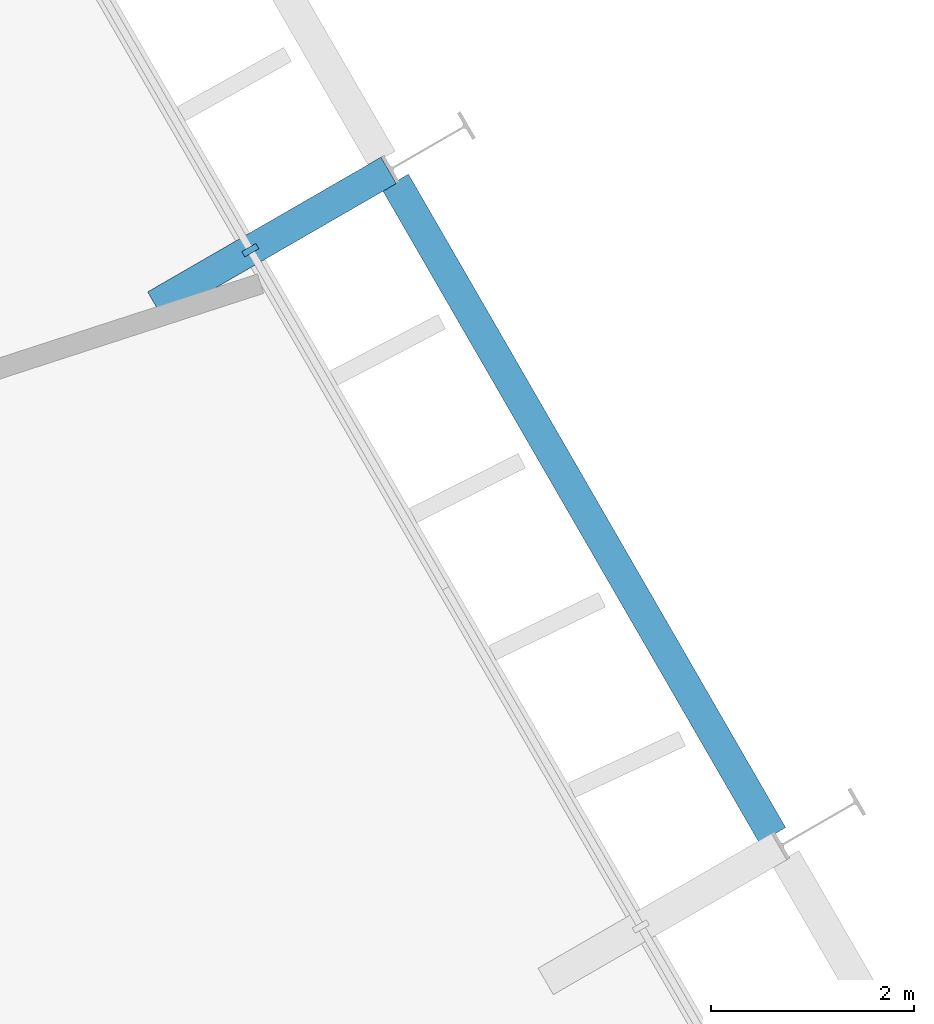
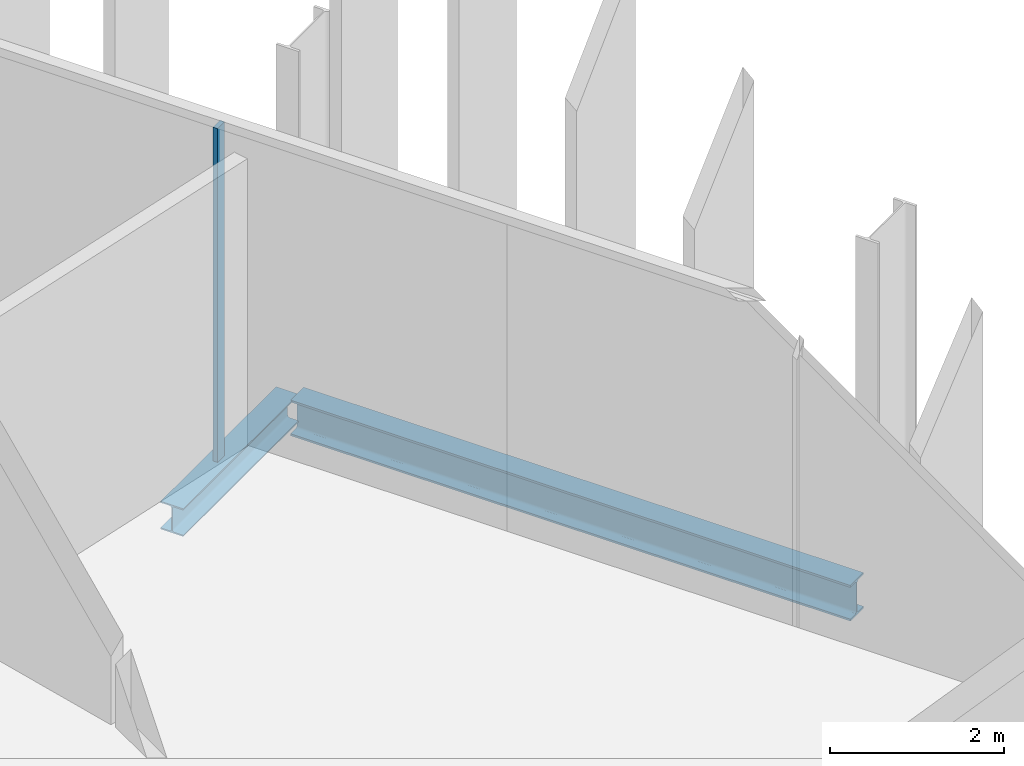
# One storey, part 7 of 17: 2 beams, 1 member, 1 element without a shape of its own.
"""IFC4 building model written with IfcOpenShell, lengths in metres."""

from ifc_helpers import new_model, si_unit, direction, frame, origin, origin_2d, place, context, subcontext, project, spatial, rectangle, i_section, extrude, material, layer, layer_set, material_profile, profile_set, type_object, element, aggregate, save


model = new_model("IFC4")

# Units and contexts
model_context = context("Model", 3, precision=1e-05, world=origin(), true_north=direction((0.0, 1.0)))
body_context = subcontext(model_context, "Body", "Model", "MODEL_VIEW")
ifc_project = project(units=[si_unit("LENGTHUNIT", "METRE"), si_unit("AREAUNIT", "SQUARE_METRE"), si_unit("VOLUMEUNIT", "CUBIC_METRE"), si_unit("PLANEANGLEUNIT", "RADIAN"), si_unit("MASSUNIT", "GRAM", prefix="KILO")], contexts=[model_context])

# Site, building, storey
site_placement = place(None, origin())
site = spatial("IfcSite", under=ifc_project, at=site_placement, CompositionType="ELEMENT")
building_placement = place(site_placement, origin())
building = spatial("IfcBuilding", under=site, at=building_placement, Name="Spindle Arch Residences", CompositionType="ELEMENT")
storey_placement = place(building_placement, frame((0.0, 0.0, 18.60009765625)))
storey = spatial("IfcBuildingStorey", under=building, at=storey_placement, Name="L03", CompositionType="ELEMENT", Elevation=18.60009765625)

# Curtain wall, member
ifc_material_1 = material(Name="Aluminium bronze unitised frame with tinted glass", Category="aluminium")
ifc_layer = layer(ifc_material_1, 0.159912109375)
ifc_layer_set = layer_set([ifc_layer], Name="CW-B amenity podium glazed wall")
curtain_wall_type = type_object("IfcCurtainWallType", Name="CW-B amenity podium glazed wall", PredefinedType="NOTDEFINED", material=ifc_layer_set)
curtain_wall_placement = place(storey_placement, origin())
curtain_wall = element("IfcCurtainWall", 1, at=curtain_wall_placement, inside=storey, type_object=curtain_wall_type, Name="CW-B L03 run 2", PredefinedType="NOTDEFINED")
ifc_material_2 = material(Name="Aluminium bronze anodised mullion", Category="aluminium")
ifc_material_profile_1 = material_profile(ifc_material_2, rectangle(XDim=0.159912109375, YDim=0.06005859375, at=origin_2d()), Name="MU 60x160")
ifc_profile_set_1 = profile_set([ifc_material_profile_1], Name="Aluminium bronze anodised mullion")
member_type = type_object("IfcMemberType", Name="Bronze mullion 60x160", PredefinedType="MULLION", material=ifc_profile_set_1)
member_placement = place(storey_placement, frame((18.9892578125, 6.529296875, -0.380126953125), z_axis=(0.0, 0.0, 1.0), x_axis=(-0.866025403784, -0.5, 0.0)))
member = element("IfcMember", 2, at=member_placement, type_object=member_type, Name="CW-B mullion 07", PredefinedType="MULLION", context=body_context, shape_type="SweptSolid", body=[
    extrude(rectangle(XDim=0.159912109375, YDim=0.06005859375, at=origin_2d()), origin(), (0.0, 0.0, 1.0), 4.679931640625),
])
aggregate(curtain_wall, [member])

# Beams
ifc_material_3 = material(Name="Steel S460ML, intumescent coating R 120", Category="steel")
ifc_material_profile_2 = material_profile(ifc_material_3, i_section(OverallWidth=0.300048828125, OverallDepth=0.5, WebThickness=0.014404296875, FlangeThickness=0.028076171875, FilletRadius=0.027099609375, at=origin_2d()), Name="HEB 500")
ifc_profile_set_2 = profile_set([ifc_material_profile_2], Name="Steel S460ML, intumescent coating R 120")
beam_type_1 = type_object("IfcBeamType", Name="Exoskeleton edge beam HEB 500", PredefinedType="BEAM", material=ifc_profile_set_2)
beam_1_placement = place(storey_placement, frame((24.1240234375, 0.77587890625, -0.630126953125), z_axis=(-0.49998923004, 0.866031621735, 0.0), x_axis=(-0.866031621735, -0.49998923004, 0.0)))
element("IfcBeam", 3, at=beam_1_placement, inside=storey, type_object=beam_type_1, Name="Exoskeleton edge beam 7", PredefinedType="BEAM", context=body_context, shape_type="SweptSolid", body=[
    extrude(i_section(OverallWidth=0.300048828125, OverallDepth=0.5, WebThickness=0.014404296875, FlangeThickness=0.028076171875, FilletRadius=0.027099609375, at=origin_2d()), origin(), (0.0, 0.0, 1.0), 7.420166015625),
])
ifc_material_4 = material(Name="Steel S460ML, intumescent coating R 120", Category="steel")
ifc_material_profile_3 = material_profile(ifc_material_4, i_section(OverallWidth=0.300048828125, OverallDepth=0.389892578125, WebThickness=0.010986328125, FlangeThickness=0.01904296875, FilletRadius=0.027099609375, at=origin_2d()), Name="HEA 400")
ifc_profile_set_3 = profile_set([ifc_material_profile_3], Name="Steel S460ML, intumescent coating R 120")
beam_type_2 = type_object("IfcBeamType", Name="Floor outrigger HEA 400", PredefinedType="BEAM", material=ifc_profile_set_3)
beam_2_placement = place(storey_placement, frame((20.34912109375, 7.314453125, -0.5751953125), z_axis=(-0.866052124492, -0.499953715521, 0.0), x_axis=(0.499953715521, -0.866052124492, 0.0)))
element("IfcBeam", 4, at=beam_2_placement, inside=storey, type_object=beam_type_2, Name="Floor outrigger 8", PredefinedType="BEAM", context=body_context, shape_type="SweptSolid", body=[
    extrude(i_section(OverallWidth=0.300048828125, OverallDepth=0.389892578125, WebThickness=0.010986328125, FlangeThickness=0.01904296875, FilletRadius=0.027099609375, at=origin_2d()), origin(), (0.0, 0.0, 1.0), 2.650146484375),
])

save(model, "model.ifc")
